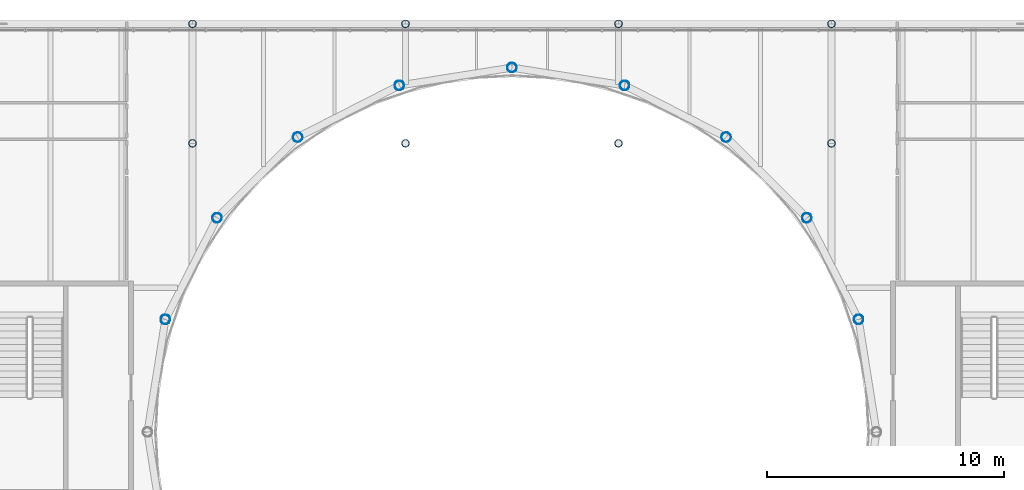
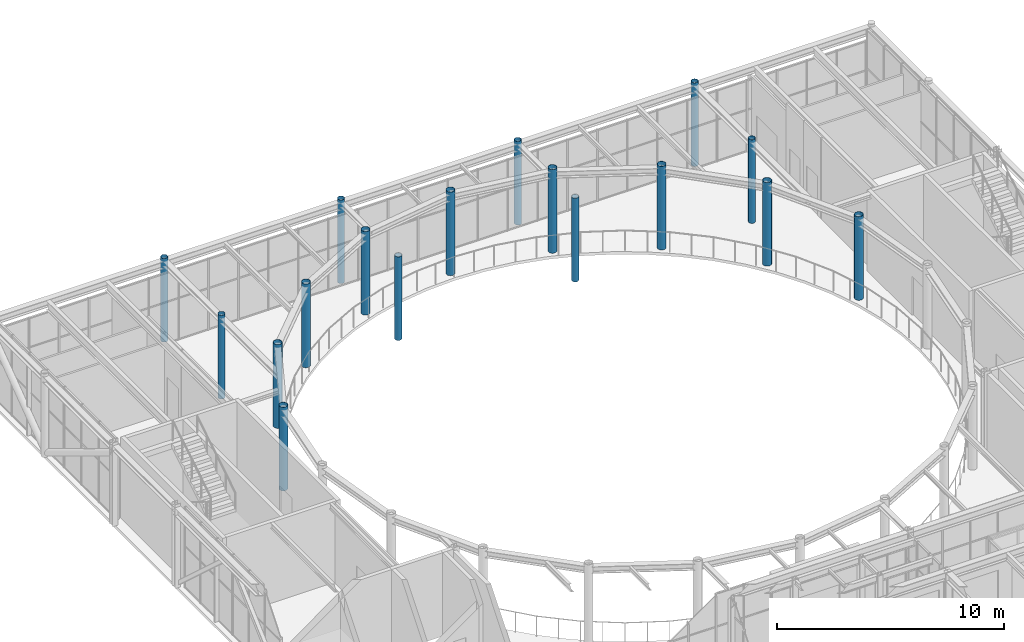
# One storey, part 8 of 70: 17 columns.
"""IFC4 building model written with IfcOpenShell, lengths in metres."""

from ifc_helpers import new_model, si_unit, direction, frame, origin, origin_2d, place, context, subcontext, project, spatial, hollow_circle, extrude, material, material_profile, profile_set, type_object, element, save


model = new_model("IFC4")

# Units and contexts
model_context = context("Model", 3, precision=1e-05, world=origin(), true_north=direction((0.0, 1.0)))
body_context = subcontext(model_context, "Body", "Model", "MODEL_VIEW")
ifc_project = project(units=[si_unit("LENGTHUNIT", "METRE"), si_unit("AREAUNIT", "SQUARE_METRE"), si_unit("VOLUMEUNIT", "CUBIC_METRE"), si_unit("PLANEANGLEUNIT", "RADIAN"), si_unit("MASSUNIT", "GRAM", prefix="KILO")], contexts=[model_context])

# Site, building, storey
site_placement = place(None, origin())
site = spatial("IfcSite", under=ifc_project, at=site_placement, CompositionType="ELEMENT")
building_placement = place(site_placement, origin())
building = spatial("IfcBuilding", under=site, at=building_placement, Name="Kallimachos Central Library", CompositionType="ELEMENT")
storey_placement = place(building_placement, frame((0.0, 0.0, 18.89990234375)))
storey = spatial("IfcBuildingStorey", under=building, at=storey_placement, Name="L04", CompositionType="ELEMENT", Elevation=18.89990234375)

# Columns
ifc_material_1 = material(Name="Steel S355J2H", Category="steel")
ifc_material_profile_1 = material_profile(ifc_material_1, hollow_circle(Radius=0.161865234375, WallThickness=0.012451171875, at=origin_2d()), Name="CHS 323.9x12.5")
ifc_profile_set_1 = profile_set([ifc_material_profile_1], Name="Steel S355J2H")
column_type_1 = type_object("IfcColumnType", Name="CHS 323.9x12.5 column", PredefinedType="COLUMN", material=ifc_profile_set_1)
for number, where, z_axis, x_axis, name in (
    (1, (74.5, 121.64990234375, 0.0), (0.0, 0.0, 1.0), (1.0, 0.0, 0.0), "V1-COL-L04-035"),
    (2, (83.5, 121.64990234375, 0.0), (0.0, 0.0, 1.0), (1.0, 0.0, 0.0), "V1-COL-L04-036"),
    (3, (92.5, 121.64990234375, 0.0), (0.0, 0.0, 1.0), (1.0, 0.0, 0.0), "V1-COL-L04-037"),
    (4, (101.5, 121.64990234375, 0.0), (0.0, 0.0, 1.0), (1.0, 0.0, 0.0), "V1-COL-L04-038"),
    (5, (74.5, 116.60009765625, 0.0), (0.0, 0.0, 1.0), (1.0, 0.0, 0.0), "V1-COL-L04-042"),
    (6, (83.5, 116.60009765625, 0.0), (0.0, 0.0, 1.0), (1.0, 0.0, 0.0), "V1-COL-L04-043"),
    (7, (92.5, 116.60009765625, 0.0), (0.0, 0.0, 1.0), (1.0, 0.0, 0.0), "V1-COL-L04-044"),
    (8, (101.5, 116.60009765625, 0.0), (0.0, 0.0, 1.0), (1.0, 0.0, 0.0), "V1-COL-L04-045"),
):
    element("IfcColumn", number, at=place(storey_placement, frame(where, z_axis=z_axis, x_axis=x_axis)), inside=storey, type_object=column_type_1, Name=name, PredefinedType="COLUMN", context=body_context, shape_type="SweptSolid", body=[
        extrude(hollow_circle(Radius=0.161865234375, WallThickness=0.012451171875, at=origin_2d()), origin(), (0.0, 0.0, 1.0), 4.5),
    ])
ifc_material_2 = material(Name="Steel S355J2H", Category="steel")
ifc_material_profile_2 = material_profile(ifc_material_2, hollow_circle(Radius=0.203125, WallThickness=0.012451171875, at=origin_2d()), Name="CHS 406.4x12.5")
ifc_profile_set_2 = profile_set([ifc_material_profile_2], Name="Steel S355J2H")
column_type_2 = type_object("IfcColumnType", Name="CHS 406.4x12.5 column", PredefinedType="COLUMN", material=ifc_profile_set_2)
for number, where, z_axis, x_axis, name in (
    (9, (102.646240234375, 109.158935546875, 0.0), (0.0, 0.0, 1.0), (1.0, 0.0, 0.0), "V1-COL-L04-016"),
    (10, (100.458984375, 113.451904296875, 0.0), (0.0, 0.0, 1.0), (1.0, 0.0, 0.0), "V1-COL-L04-017"),
    (11, (97.052001953125, 116.85888671875, 0.0), (0.0, 0.0, 1.0), (1.0, 0.0, 0.0), "V1-COL-L04-018"),
    (12, (92.7587890625, 119.04638671875, 0.0), (0.0, 0.0, 1.0), (1.0, 0.0, 0.0), "V1-COL-L04-019"),
    (13, (88.0, 119.800048828125, 0.0), (0.0, 0.0, 1.0), (1.0, 0.0, 0.0), "V1-COL-L04-020"),
    (14, (83.2412109375, 119.04638671875, 0.0), (0.0, 0.0, 1.0), (1.0, 0.0, 0.0), "V1-COL-L04-021"),
    (15, (78.947998046875, 116.85888671875, 0.0), (0.0, 0.0, 1.0), (1.0, 0.0, 0.0), "V1-COL-L04-022"),
    (16, (75.541015625, 113.451904296875, 0.0), (0.0, 0.0, 1.0), (1.0, 0.0, 0.0), "V1-COL-L04-023"),
    (17, (73.353759765625, 109.158935546875, 0.0), (0.0, 0.0, 1.0), (1.0, 0.0, 0.0), "V1-COL-L04-024"),
):
    element("IfcColumn", number, at=place(storey_placement, frame(where, z_axis=z_axis, x_axis=x_axis)), inside=storey, type_object=column_type_2, Name=name, PredefinedType="COLUMN", context=body_context, shape_type="SweptSolid", body=[
        extrude(hollow_circle(Radius=0.203125, WallThickness=0.012451171875, at=origin_2d()), origin(), (0.0, 0.0, 1.0), 4.5),
    ])

save(model, "model.ifc")
